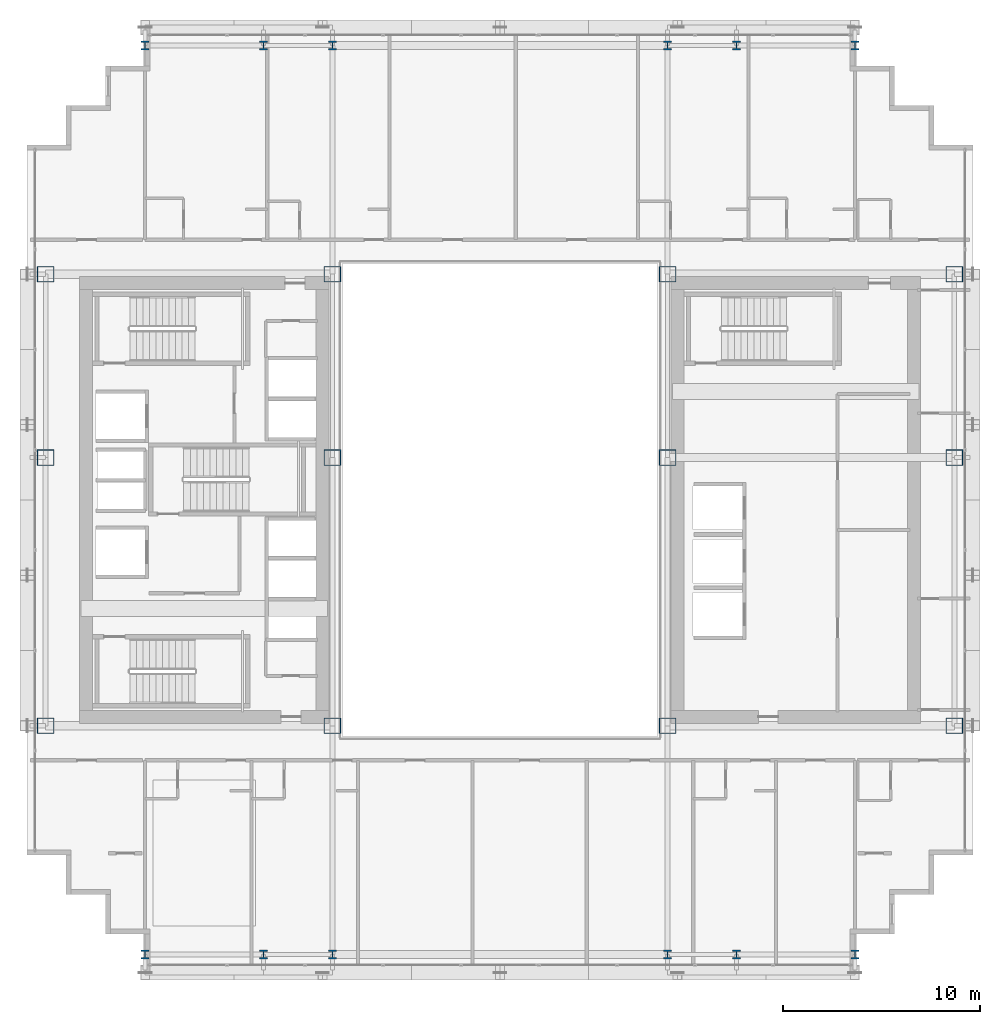
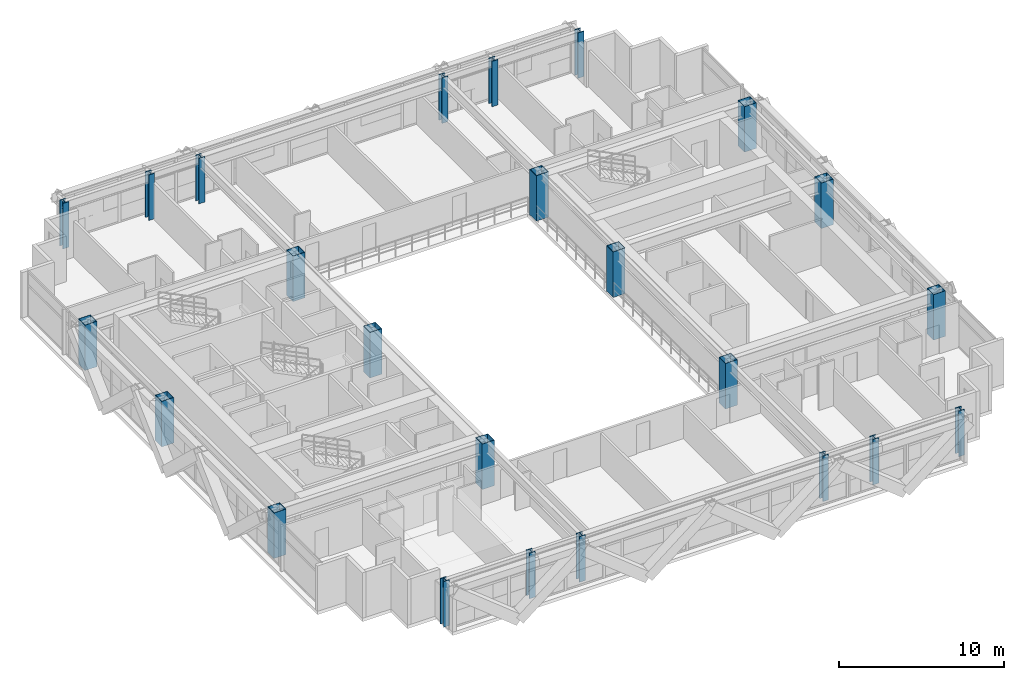
# One storey, part 1 of 35: 24 columns.
"""IFC4 building model written with IfcOpenShell, lengths in metres."""

from ifc_helpers import new_model, si_unit, direction, frame, origin, origin_2d, place, context, subcontext, project, spatial, hollow_rectangle, i_section, extrude, source, transform, mapped, material, material_profile, profile_set, type_object, element, save


model = new_model("IFC4")

# Units and contexts
model_context = context("Model", 3, precision=1e-05, world=origin(), true_north=direction((0.0, 1.0)))
body_context = subcontext(model_context, "Body", "Model", "MODEL_VIEW")
ifc_project = project(units=[si_unit("LENGTHUNIT", "METRE"), si_unit("AREAUNIT", "SQUARE_METRE"), si_unit("VOLUMEUNIT", "CUBIC_METRE"), si_unit("PLANEANGLEUNIT", "RADIAN"), si_unit("MASSUNIT", "GRAM", prefix="KILO")], contexts=[model_context])

# Site, building, storey
site_placement = place(None, origin())
site = spatial("IfcSite", under=ifc_project, at=site_placement, CompositionType="ELEMENT")
building_placement = place(site_placement, origin())
building = spatial("IfcBuilding", under=site, at=building_placement, Name="Ocotamira Hotel", CompositionType="ELEMENT")
storey_placement = place(building_placement, frame((0.0, 0.0, 122.39990234375)))
storey = spatial("IfcBuildingStorey", under=building, at=storey_placement, Name="L30", CompositionType="ELEMENT", Elevation=122.39990234375)

# Columns
ifc_material = material(Name="Steel ASTM A913 Grade 65", Category="steel")
ifc_material_profile_1 = material_profile(ifc_material, hollow_rectangle(XDim=0.85009765625, YDim=0.800048828125, WallThickness=0.031982421875, at=origin_2d()), Name="BOX800X850X32")
ifc_profile_set_1 = profile_set([ifc_material_profile_1], Name="Steel ASTM A913 Grade 65")
column_type_1 = type_object("IfcColumnType", Name="COL-BOX800", PredefinedType="COLUMN", material=ifc_profile_set_1)
shared_shape_1 = source(origin(), body_context, "Body", "SweptSolid", [
    extrude(hollow_rectangle(XDim=0.85009765625, YDim=0.800048828125, WallThickness=0.031982421875, at=origin_2d()), origin(), (0.0, 0.0, 1.0), 3.360107421875),
])
for number, where, z_axis, x_axis, name in (
    (1, (8.949951171875, 14.550048828125, 0.0), (0.0, 0.0, 1.0), (1.0, 0.0, 0.0), "L30 Column TW8_14"),
    (2, (23.5, 14.550048828125, 0.0), (0.0, 0.0, 1.0), (1.0, 0.0, 0.0), "L30 Column TW23_14"),
    (3, (40.5, 14.550048828125, 0.0), (0.0, 0.0, 1.0), (1.0, 0.0, 0.0), "L30 Column TE40_14"),
    (4, (55.050048828125, 14.550048828125, 0.0), (0.0, 0.0, 1.0), (1.0, 0.0, 0.0), "L30 Column TE55_14"),
    (5, (8.949951171875, 28.14990234375, 0.0), (0.0, 0.0, 1.0), (1.0, 0.0, 0.0), "L30 Column TW8_28"),
    (6, (23.5, 28.14990234375, 0.0), (0.0, 0.0, 1.0), (1.0, 0.0, 0.0), "L30 Column TW23_28"),
    (7, (40.5, 28.14990234375, 0.0), (0.0, 0.0, 1.0), (1.0, 0.0, 0.0), "L30 Column TE40_28"),
    (8, (55.050048828125, 28.14990234375, 0.0), (0.0, 0.0, 1.0), (1.0, 0.0, 0.0), "L30 Column TE55_28"),
    (9, (8.949951171875, 37.449951171875, 0.0), (0.0, 0.0, 1.0), (1.0, 0.0, 0.0), "L30 Column TW8_37"),
    (10, (23.5, 37.449951171875, 0.0), (0.0, 0.0, 1.0), (1.0, 0.0, 0.0), "L30 Column TW23_37"),
    (11, (40.5, 37.449951171875, 0.0), (0.0, 0.0, 1.0), (1.0, 0.0, 0.0), "L30 Column TE40_37"),
    (12, (55.050048828125, 37.449951171875, 0.0), (0.0, 0.0, 1.0), (1.0, 0.0, 0.0), "L30 Column TE55_37"),
):
    element("IfcColumn", number, at=place(storey_placement, frame(where, z_axis=z_axis, x_axis=x_axis)), inside=storey, type_object=column_type_1, Name=name, PredefinedType="COLUMN", context=body_context, shape_type="MappedRepresentation", body=[
        mapped(shared_shape_1, transform((0.0, 0.0, 0.0), scale=1.0)),
    ])
ifc_material_profile_2 = material_profile(ifc_material, i_section(OverallWidth=0.412109375, OverallDepth=0.43505859375, WebThickness=0.035888671875, FlangeThickness=0.057373046875, FilletRadius=0.02490234375, at=origin_2d()), Name="W14X311")
ifc_profile_set_2 = profile_set([ifc_material_profile_2], Name="Steel ASTM A913 Grade 65")
column_type_2 = type_object("IfcColumnType", Name="COL-W14X311", PredefinedType="COLUMN", material=ifc_profile_set_2)
shared_shape_2 = source(origin(), body_context, "Body", "SweptSolid", [
    extrude(i_section(OverallWidth=0.412109375, OverallDepth=0.43505859375, WebThickness=0.035888671875, FlangeThickness=0.057373046875, FilletRadius=0.02490234375, at=origin_2d()), origin(), (0.0, 0.0, 1.0), 3.360107421875),
])
for number, where, z_axis, x_axis, name in (
    (13, (14.0, 2.949951171875, 0.0), (0.0, 0.0, 1.0), (1.0, 0.0, 0.0), "L30 Column NSP1_14"),
    (14, (20.0, 2.949951171875, 0.0), (0.0, 0.0, 1.0), (1.0, 0.0, 0.0), "L30 Column NSP1_20"),
    (15, (23.5, 2.949951171875, 0.0), (0.0, 0.0, 1.0), (1.0, 0.0, 0.0), "L30 Column NSP1_23"),
    (16, (40.5, 2.949951171875, 0.0), (0.0, 0.0, 1.0), (1.0, 0.0, 0.0), "L30 Column NSP1_40"),
    (17, (44.0, 2.949951171875, 0.0), (0.0, 0.0, 1.0), (1.0, 0.0, 0.0), "L30 Column NSP1_44"),
    (18, (50.0, 2.949951171875, 0.0), (0.0, 0.0, 1.0), (1.0, 0.0, 0.0), "L30 Column NSP1_50"),
    (19, (14.0, 49.050048828125, 0.0), (0.0, 0.0, 1.0), (1.0, 0.0, 0.0), "L30 Column NSP2_14"),
    (20, (20.0, 49.050048828125, 0.0), (0.0, 0.0, 1.0), (1.0, 0.0, 0.0), "L30 Column NSP2_20"),
    (21, (23.5, 49.050048828125, 0.0), (0.0, 0.0, 1.0), (1.0, 0.0, 0.0), "L30 Column NSP2_23"),
    (22, (40.5, 49.050048828125, 0.0), (0.0, 0.0, 1.0), (1.0, 0.0, 0.0), "L30 Column NSP2_40"),
    (23, (44.0, 49.050048828125, 0.0), (0.0, 0.0, 1.0), (1.0, 0.0, 0.0), "L30 Column NSP2_44"),
    (24, (50.0, 49.050048828125, 0.0), (0.0, 0.0, 1.0), (1.0, 0.0, 0.0), "L30 Column NSP2_50"),
):
    element("IfcColumn", number, at=place(storey_placement, frame(where, z_axis=z_axis, x_axis=x_axis)), inside=storey, type_object=column_type_2, Name=name, PredefinedType="COLUMN", context=body_context, shape_type="MappedRepresentation", body=[
        mapped(shared_shape_2, transform((0.0, 0.0, 0.0), scale=1.0)),
    ])

save(model, "model.ifc")
